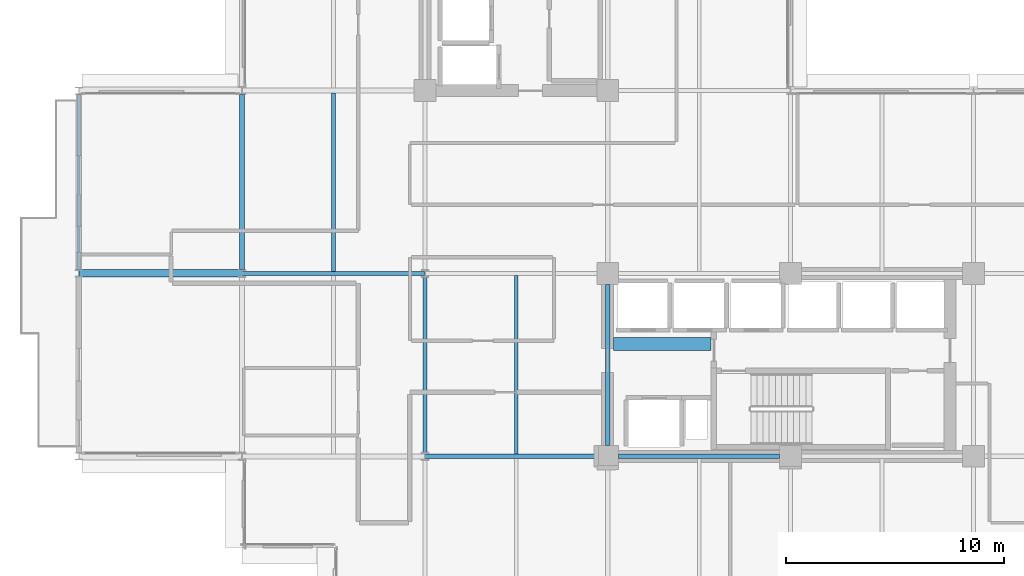
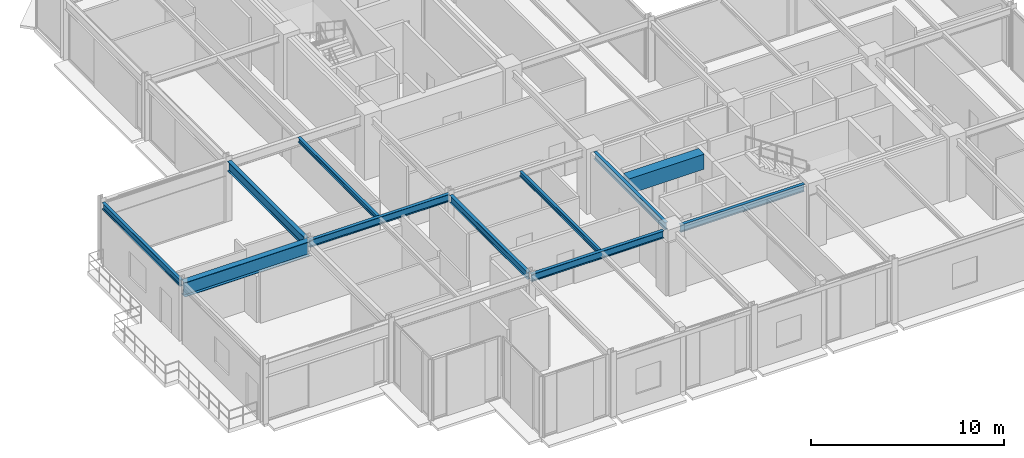
# One storey, part 8 of 29: 11 beams.
"""IFC4 building model written with IfcOpenShell, lengths in metres."""

import ifcopenshell
import ifcopenshell.guid

model = None  # the IFC model being written
_history = None  # IfcOwnerHistory: only IFC2X3 demands one
_inside = {}  # id of a spatial element -> (the spatial element, [elements in it])
_under = {}  # id of a project, library or spatial element -> (it, [spatial elements below it])
_declared = {}  # id of a project -> (the project, [libraries it declares])
_typed = {}  # id of a type object -> (the type object, [elements of that type])
_made_of = {}  # id of a material, layer set ... -> (it, [elements and type objects made of it])


def new_model(schema):
    """Start an empty IFC model of exactly this schema.

    Asked for "IFC4X3", IfcOpenShell would pick the latest addendum, in which some entities
    have other attributes; the version numbers below select the first issue.
    IFC2X3 requires an IfcOwnerHistory on every rooted entity: one is made here for all.
    """
    global model, _history
    if schema == "IFC4X3":
        model = ifcopenshell.file(schema_version=(4, 3, 0, 0))
    else:
        model = ifcopenshell.file(schema=schema)
    _inside.clear()
    _under.clear()
    _declared.clear()
    _typed.clear()
    _made_of.clear()
    _history = None
    if model.schema == "IFC2X3":
        org = make("IfcOrganization", Name="unknown")
        user = make(
            "IfcPersonAndOrganization",
            ThePerson=make("IfcPerson", FamilyName="unknown"),
            TheOrganization=org,
        )
        app = make(
            "IfcApplication",
            ApplicationDeveloper=org,
            Version="unknown",
            ApplicationFullName="unknown",
            ApplicationIdentifier="unknown",
        )
        _history = make(
            "IfcOwnerHistory",
            OwningUser=user,
            OwningApplication=app,
            ChangeAction="ADDED",
            CreationDate=0,
        )
    return model


def make(cls, **values):
    """One entity of the class cls with the attributes given. An attribute that is None is left unset."""
    return model.create_entity(
        cls, **{name: value for name, value in values.items() if value is not None}
    )


def rooted(cls, **values):
    """An entity with a GlobalId (a new one), such as an element, a storey or a relation."""
    return make(cls, GlobalId=ifcopenshell.guid.new(), OwnerHistory=_history, **values)


def si_unit(unit_type, name, prefix=None):
    """IfcSIUnit, for example si_unit("LENGTHUNIT", "METRE", prefix="MILLI")."""
    return make("IfcSIUnit", UnitType=unit_type, Prefix=prefix, Name=name)


def assignment(units):
    """IfcUnitAssignment: the units of a project."""
    return None if units is None else make("IfcUnitAssignment", Units=units)


def point(xyz):
    """IfcCartesianPoint."""
    return None if xyz is None else make("IfcCartesianPoint", Coordinates=xyz)


def direction(xyz):
    """IfcDirection."""
    return None if xyz is None else make("IfcDirection", DirectionRatios=xyz)


def frame(location, z_axis=None, x_axis=None):
    """IfcAxis2Placement3D, a coordinate frame: its origin and axes. An axis left out is left unset."""
    return make(
        "IfcAxis2Placement3D",
        Location=point(location),
        Axis=direction(z_axis),
        RefDirection=direction(x_axis),
    )


def frame_2d(location, x_axis=None):
    """IfcAxis2Placement2D, a coordinate frame in the plane: its origin and x axis."""
    return make(
        "IfcAxis2Placement2D", Location=point(location), RefDirection=direction(x_axis)
    )


def origin():
    """The frame at (0, 0, 0) with its axes left unset."""
    return frame((0.0, 0.0, 0.0))


def origin_2d():
    """The frame at (0, 0) in the plane with its x axis left unset."""
    return frame_2d((0.0, 0.0))


def place(relative_to, where):
    """IfcLocalPlacement: puts the frame where relative to a parent placement (None: the world)."""
    return make(
        "IfcLocalPlacement", PlacementRelTo=relative_to, RelativePlacement=where
    )


def context(
    kind, dimensions, precision=None, world=None, true_north=None, identifier=None
):
    """IfcGeometricRepresentationContext, for example the 3D "Model" context."""
    return make(
        "IfcGeometricRepresentationContext",
        ContextIdentifier=identifier,
        ContextType=kind,
        CoordinateSpaceDimension=dimensions,
        Precision=precision,
        WorldCoordinateSystem=world,
        TrueNorth=true_north,
    )


def subcontext(parent, identifier, kind, view, scale=None):
    """IfcGeometricRepresentationSubContext, for example "Body" below "Model"."""
    return make(
        "IfcGeometricRepresentationSubContext",
        ContextIdentifier=identifier,
        ContextType=kind,
        ParentContext=parent,
        TargetScale=scale,
        TargetView=view,
    )


def project(units=None, contexts=None):
    """IfcProject with its units and contexts."""
    return rooted(
        "IfcProject",
        Name="project",
        RepresentationContexts=contexts,
        UnitsInContext=assignment(units),
    )


def spatial(cls, under=None, at=None, **own):
    """A site, building, storey or space (cls), placed at a placement, below another one or the project."""
    s = rooted(cls, ObjectPlacement=at, **own)
    if under is not None:
        _under.setdefault(under.id(), (under, []))[1].append(s)
    return s


def profile(cls, at=None, kind="AREA", **sizes):
    """A parametric profile (cls). Its sizes go by their IFC names, for example OverallWidth=200.0."""
    return make(cls, ProfileType=kind, Position=at, **sizes)


def rectangle(**sizes):
    """IfcRectangleProfileDef."""
    return profile("IfcRectangleProfileDef", **sizes)


def i_section(**sizes):
    """IfcIShapeProfileDef."""
    return profile("IfcIShapeProfileDef", **sizes)


def extrude(swept, where, along, depth):
    """IfcExtrudedAreaSolid: the profile swept, set in the frame where, extruded along a direction by depth."""
    return make(
        "IfcExtrudedAreaSolid",
        SweptArea=swept,
        Position=where,
        ExtrudedDirection=direction(along),
        Depth=depth,
    )


def shape(context_of_items, identifier, shape_type, items):
    """IfcShapeRepresentation: the items that make up one representation, for example the "Body"."""
    return make(
        "IfcShapeRepresentation",
        ContextOfItems=context_of_items,
        RepresentationIdentifier=identifier,
        RepresentationType=shape_type,
        Items=items,
    )


def material(Name=None, Category=None):
    """IfcMaterial."""
    return make("IfcMaterial", Name=Name, Category=Category)


def material_profile(
    of_material, cross_section, Name=None, Category=None, Priority=None
):
    """IfcMaterialProfile: a cross section and its material."""
    return make(
        "IfcMaterialProfile",
        Name=Name,
        Material=of_material,
        Profile=cross_section,
        Priority=Priority,
        Category=Category,
    )


def profile_set(profiles, Name=None, composite=None):
    """IfcMaterialProfileSet."""
    return make(
        "IfcMaterialProfileSet",
        Name=Name,
        MaterialProfiles=profiles,
        CompositeProfile=composite,
    )


def made_of(thing, what):
    """Note that an element or type object is made of a material, layer set ...; save() writes the relation."""
    if what is not None:
        _made_of.setdefault(what.id(), (what, []))[1].append(thing)
    return thing


def type_object(cls, material=None, **own):
    """A type object (cls), such as IfcWallType, which elements share."""
    return made_of(rooted(cls, **own), material)


def element(
    cls,
    number,
    at=None,
    inside=None,
    cuts=None,
    type_object=None,
    material=None,
    context=None,
    identifier="Body",
    shape_type=None,
    held_by="IfcProductDefinitionShape",
    body=None,
    shapes=None,
    **own,
):
    """One element of the class cls, such as IfcWall. Its Tag is "e" and its number.

    at: its placement. inside: the storey or other place that contains it. cuts: it is an
    opening in that element (IfcRelVoidsElement). A single representation is given by context,
    identifier, shape_type and body (its items); several are given by shapes. held_by: the class
    of the entity that holds the representations. save() writes the other relations.
    """
    e = rooted(cls, Tag="e%d" % number, ObjectPlacement=at, **own)
    if body is not None:
        shapes = [shape(context, identifier, shape_type, body)]
    if shapes is not None:
        e.Representation = make(held_by, Representations=shapes)
    if inside is not None:
        _inside.setdefault(inside.id(), (inside, []))[1].append(e)
    if cuts is not None:
        rooted(
            "IfcRelVoidsElement", RelatingBuildingElement=cuts, RelatedOpeningElement=e
        )
    if type_object is not None:
        _typed.setdefault(type_object.id(), (type_object, []))[1].append(e)
    return made_of(e, material)


def aggregate(whole, parts):
    """IfcRelAggregates: a whole, such as a stair, and the parts it consists of."""
    return rooted("IfcRelAggregates", RelatingObject=whole, RelatedObjects=parts)


def save(model, path):
    """Write the relations noted so far, then the file.

    IfcRelAggregates (storeys below a building ...), IfcRelContainedInSpatialStructure (elements
    in a storey), IfcRelDefinesByType, IfcRelAssociatesMaterial and IfcRelDeclares: one each for
    every whole, place, type object, material and project.
    """
    for whole, parts in _under.values():
        aggregate(whole, parts)
    for where, things in _inside.values():
        rooted(
            "IfcRelContainedInSpatialStructure",
            RelatedElements=things,
            RelatingStructure=where,
        )
    for kind, things in _typed.values():
        rooted("IfcRelDefinesByType", RelatedObjects=things, RelatingType=kind)
    for what, things in _made_of.values():
        rooted("IfcRelAssociatesMaterial", RelatedObjects=things, RelatingMaterial=what)
    for by, libraries in _declared.values():
        rooted("IfcRelDeclares", RelatingContext=by, RelatedDefinitions=libraries)
    model.write(path)


model = new_model("IFC4")

# Units and contexts
model_context = context("Model", 3, precision=1e-05, world=origin(), true_north=direction((0.0, 1.0)))
body_context = subcontext(model_context, "Body", "Model", "MODEL_VIEW")
ifc_project = project(units=[si_unit("LENGTHUNIT", "METRE"), si_unit("AREAUNIT", "SQUARE_METRE"), si_unit("VOLUMEUNIT", "CUBIC_METRE"), si_unit("PLANEANGLEUNIT", "RADIAN"), si_unit("MASSUNIT", "GRAM", prefix="KILO")], contexts=[model_context])

# Site, building, storey
site_placement = place(None, origin())
site = spatial("IfcSite", under=ifc_project, at=site_placement, CompositionType="ELEMENT")
building_placement = place(site_placement, origin())
building = spatial("IfcBuilding", under=site, at=building_placement, Name="Nerrivon Quay Data Exchange", CompositionType="ELEMENT")
storey_placement = place(building_placement, frame((0.0, 0.0, 204.199951171875)))
storey = spatial("IfcBuildingStorey", under=building, at=storey_placement, Name="L48", CompositionType="ELEMENT", Elevation=204.199951171875)

# Beams
ifc_material_1 = material(Name="Steel Grade 350", Category="steel")
ifc_material_profile_1 = material_profile(ifc_material_1, i_section(OverallWidth=0.35009765625, OverallDepth=0.909912109375, WebThickness=0.011962890625, FlangeThickness=0.02490234375, at=origin_2d()), Name="900WB218")
ifc_profile_set_1 = profile_set([ifc_material_profile_1], Name="Steel Grade 350")
beam_type_1 = type_object("IfcBeamType", Name="BM-CANT-900WB", PredefinedType="USERDEFINED", material=ifc_profile_set_1)
beam_1_placement = place(storey_placement, frame((-0.010009765625, 16.800048828125, 3.3701171875), z_axis=(-1.0, 0.0, 0.0), x_axis=(0.0, -1.0, 0.0)))
element("IfcBeam", 1, at=beam_1_placement, inside=storey, type_object=beam_type_1, Name="L48 West Hooked Cantilever Girder Y=16.8", ObjectType="TRANSFER", PredefinedType="USERDEFINED", context=body_context, shape_type="SweptSolid", body=[
    extrude(i_section(OverallWidth=0.35009765625, OverallDepth=0.909912109375, WebThickness=0.011962890625, FlangeThickness=0.02490234375, at=origin_2d()), origin(), (0.0, 0.0, 1.0), 7.482177734375),
])
ifc_material_2 = material(Name="Concrete N50 (50 MPa)", Category="concrete")
ifc_material_profile_2 = material_profile(ifc_material_2, rectangle(XDim=0.60009765625, YDim=0.949951171875, at=origin_2d()), Name="RC-CB-600x950")
ifc_profile_set_2 = profile_set([ifc_material_profile_2], Name="Concrete N50 (50 MPa)")
beam_type_2 = type_object("IfcBeamType", Name="BM-CB2-600x950", PredefinedType="LINTEL", material=ifc_profile_set_2)
beam_2_placement = place(storey_placement, frame((17.074951171875, 13.550048828125, 3.35009765625), z_axis=(1.0, 0.0, 0.0), x_axis=(0.0, 1.0, 0.0)))
element("IfcBeam", 2, at=beam_2_placement, inside=storey, type_object=beam_type_2, Name="L48 East Core Coupling Beam", PredefinedType="LINTEL", context=body_context, shape_type="SweptSolid", body=[
    extrude(rectangle(XDim=0.60009765625, YDim=0.949951171875, at=origin_2d()), origin(), (0.0, 0.0, 1.0), 4.47998046875),
])
ifc_material_profile_3 = material_profile(ifc_material_1, i_section(OverallWidth=0.22802734375, OverallDepth=0.60205078125, WebThickness=0.010498046875, FlangeThickness=0.014892578125, FilletRadius=0.013916015625, at=origin_2d()), Name="610UB101")
ifc_profile_set_3 = profile_set([ifc_material_profile_3], Name="Steel Grade 350")
beam_type_3 = type_object("IfcBeamType", Name="BM-G2-610UB101", PredefinedType="BEAM", material=ifc_profile_set_3)
beam_3_placement = place(storey_placement, frame((0.0, 16.97509765625, 3.524169921875), z_axis=(0.0, 1.0, 0.0), x_axis=(-1.0, 0.0, 0.0)))
element("IfcBeam", 3, at=beam_3_placement, inside=storey, type_object=beam_type_3, Name="L48 NS Girder X=0.0 (16.8..25.2)", PredefinedType="BEAM", context=body_context, shape_type="SweptSolid", body=[
    extrude(i_section(OverallWidth=0.22802734375, OverallDepth=0.60205078125, WebThickness=0.010498046875, FlangeThickness=0.014892578125, FilletRadius=0.013916015625, at=origin_2d()), origin(), (0.0, 0.0, 1.0), 8.0498046875),
])
ifc_material_profile_4 = material_profile(ifc_material_1, i_section(OverallWidth=0.19091796875, OverallDepth=0.4599609375, WebThickness=0.010009765625, FlangeThickness=0.01611328125, FilletRadius=0.011474609375, at=origin_2d()), Name="460UB82.1")
ifc_profile_set_4 = profile_set([ifc_material_profile_4], Name="Steel Grade 350")
beam_type_4 = type_object("IfcBeamType", Name="BM-G5-460UB82", PredefinedType="BEAM", material=ifc_profile_set_4)
beam_4_placement = place(storey_placement, frame((8.409912109375, 8.39990234375, 3.594970703125), z_axis=(1.0, 0.0, 0.0), x_axis=(0.0, 1.0, 0.0)))
element("IfcBeam", 4, at=beam_4_placement, inside=storey, type_object=beam_type_4, Name="L48 EW Girder Y=8.4 (8.4..16.8)", PredefinedType="BEAM", context=body_context, shape_type="SweptSolid", body=[
    extrude(i_section(OverallWidth=0.19091796875, OverallDepth=0.4599609375, WebThickness=0.010009765625, FlangeThickness=0.01611328125, FilletRadius=0.011474609375, at=origin_2d()), origin(), (0.0, 0.0, 1.0), 7.89013671875),
])
beam_5_placement = place(storey_placement, frame((17.300048828125, 8.39990234375, 3.594970703125), z_axis=(1.0, 0.0, 0.0), x_axis=(0.0, 1.0, 0.0)))
element("IfcBeam", 5, at=beam_5_placement, inside=storey, type_object=beam_type_4, Name="L48 EW Girder Y=8.4 (16.8..25.2)", PredefinedType="BEAM", context=body_context, shape_type="SweptSolid", body=[
    extrude(i_section(OverallWidth=0.19091796875, OverallDepth=0.4599609375, WebThickness=0.010009765625, FlangeThickness=0.01611328125, FilletRadius=0.011474609375, at=origin_2d()), origin(), (0.0, 0.0, 1.0), 7.39990234375),
])
beam_6_placement = place(storey_placement, frame((0.010009765625, 16.800048828125, 3.594970703125), z_axis=(1.0, 0.0, 0.0), x_axis=(0.0, 1.0, 0.0)))
element("IfcBeam", 6, at=beam_6_placement, inside=storey, type_object=beam_type_4, Name="L48 EW Girder Y=16.8 (0.0..8.4)", PredefinedType="BEAM", context=body_context, shape_type="SweptSolid", body=[
    extrude(i_section(OverallWidth=0.19091796875, OverallDepth=0.4599609375, WebThickness=0.010009765625, FlangeThickness=0.01611328125, FilletRadius=0.011474609375, at=origin_2d()), origin(), (0.0, 0.0, 1.0), 8.3798828125),
])
ifc_material_profile_5 = material_profile(ifc_material_1, i_section(OverallWidth=0.18994140625, OverallDepth=0.4541015625, WebThickness=0.008544921875, FlangeThickness=0.0126953125, FilletRadius=0.011474609375, at=origin_2d()), Name="460UB67.1")
ifc_profile_set_5 = profile_set([ifc_material_profile_5], Name="Steel Grade 350")
beam_type_5 = type_object("IfcBeamType", Name="BM-G6-460UB67", PredefinedType="BEAM", material=ifc_profile_set_5)
beam_7_placement = place(storey_placement, frame((8.39990234375, 8.574951171875, 3.59814453125), z_axis=(0.0, 1.0, 0.0), x_axis=(-1.0, 0.0, 0.0)))
element("IfcBeam", 7, at=beam_7_placement, inside=storey, type_object=beam_type_5, Name="L48 NS Girder X=8.4 (8.4..16.8)", PredefinedType="BEAM", context=body_context, shape_type="SweptSolid", body=[
    extrude(i_section(OverallWidth=0.18994140625, OverallDepth=0.4541015625, WebThickness=0.008544921875, FlangeThickness=0.0126953125, FilletRadius=0.011474609375, at=origin_2d()), origin(), (0.0, 0.0, 1.0), 8.050048828125),
])
beam_8_placement = place(storey_placement, frame((16.800048828125, 8.89990234375, 3.59814453125), z_axis=(0.0, 1.0, 0.0), x_axis=(-1.0, 0.0, 0.0)))
element("IfcBeam", 8, at=beam_8_placement, inside=storey, type_object=beam_type_5, Name="L48 NS Girder X=16.8 (8.4..16.8)", PredefinedType="BEAM", context=body_context, shape_type="SweptSolid", body=[
    extrude(i_section(OverallWidth=0.18994140625, OverallDepth=0.4541015625, WebThickness=0.008544921875, FlangeThickness=0.0126953125, FilletRadius=0.011474609375, at=origin_2d()), origin(), (0.0, 0.0, 1.0), 7.400146484375),
])
ifc_material_profile_6 = material_profile(ifc_material_1, i_section(OverallWidth=0.166015625, OverallDepth=0.306884765625, WebThickness=0.006591796875, FlangeThickness=0.01171875, FilletRadius=0.011474609375, at=origin_2d()), Name="310UB46.2")
ifc_profile_set_6 = profile_set([ifc_material_profile_6], Name="Steel Grade 350")
beam_type_6 = type_object("IfcBeamType", Name="BM-J5-310UB46", PredefinedType="JOIST", material=ifc_profile_set_6)
beam_9_placement = place(storey_placement, frame((4.199951171875, 16.8955078125, 3.671630859375), z_axis=(0.0, 1.0, 0.0), x_axis=(-1.0, 0.0, 0.0)))
element("IfcBeam", 9, at=beam_9_placement, inside=storey, type_object=beam_type_6, Name="L48 Secondary Joist X=4.2 (16.8..25.2)", PredefinedType="JOIST", context=body_context, shape_type="SweptSolid", body=[
    extrude(i_section(OverallWidth=0.166015625, OverallDepth=0.306884765625, WebThickness=0.006591796875, FlangeThickness=0.01171875, FilletRadius=0.011474609375, at=origin_2d()), origin(), (0.0, 0.0, 1.0), 8.18994140625),
])
beam_10_placement = place(storey_placement, frame((12.60009765625, 8.49560546875, 3.671630859375), z_axis=(0.0, 1.0, 0.0), x_axis=(-1.0, 0.0, 0.0)))
element("IfcBeam", 10, at=beam_10_placement, inside=storey, type_object=beam_type_6, Name="L48 Secondary Joist X=12.6 (8.4..16.8)", PredefinedType="JOIST", context=body_context, shape_type="SweptSolid", body=[
    extrude(i_section(OverallWidth=0.166015625, OverallDepth=0.306884765625, WebThickness=0.006591796875, FlangeThickness=0.01171875, FilletRadius=0.011474609375, at=origin_2d()), origin(), (0.0, 0.0, 1.0), 8.208984375),
])
ifc_material_profile_7 = material_profile(ifc_material_1, i_section(OverallWidth=0.177978515625, OverallDepth=0.403076171875, WebThickness=0.007568359375, FlangeThickness=0.010986328125, FilletRadius=0.011474609375, at=origin_2d()), Name="410UB53.7")
ifc_profile_set_7 = profile_set([ifc_material_profile_7], Name="Steel Grade 350")
beam_type_7 = type_object("IfcBeamType", Name="BM-SP2-410UB54", PredefinedType="SPANDREL", material=ifc_profile_set_7)
beam_11_placement = place(storey_placement, frame((-7.5, 16.96337890625, 3.62353515625), z_axis=(0.0, 1.0, 0.0), x_axis=(-1.0, 0.0, 0.0)))
element("IfcBeam", 11, at=beam_11_placement, inside=storey, type_object=beam_type_7, Name="L48 West Hooked Edge Spandrel", PredefinedType="SPANDREL", context=body_context, shape_type="SweptSolid", body=[
    extrude(i_section(OverallWidth=0.177978515625, OverallDepth=0.403076171875, WebThickness=0.007568359375, FlangeThickness=0.010986328125, FilletRadius=0.011474609375, at=origin_2d()), origin(), (0.0, 0.0, 1.0), 8.0732421875),
])

save(model, "model.ifc")
